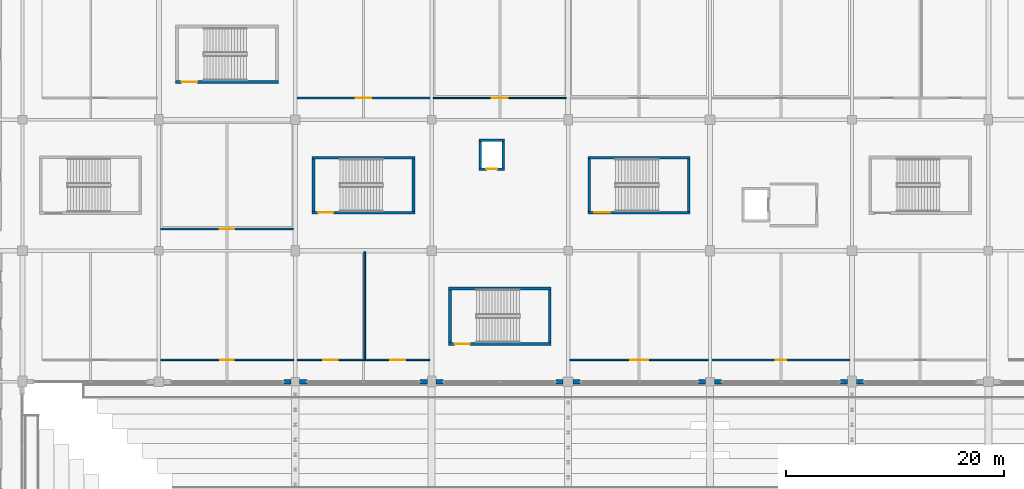
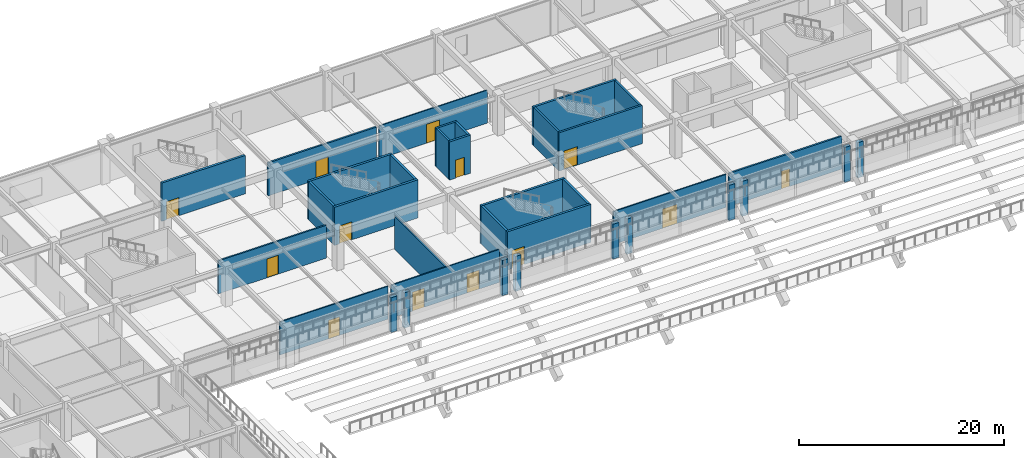
# One storey, part 89 of 134: 35 walls, 13 doors, 13 openings.
"""IFC4 building model written with IfcOpenShell, lengths in metres."""

from ifc_helpers import new_model, si_unit, direction, frame, frame_2d, origin, place, context, subcontext, project, spatial, rectangle, extrude, material, layer, layer_set, type_object, element, fill, save


model = new_model("IFC4")

# Units and contexts
model_context = context("Model", 3, precision=1e-05, world=origin(), true_north=direction((0.0, 1.0)))
body_context = subcontext(model_context, "Body", "Model", "MODEL_VIEW")
ifc_project = project(units=[si_unit("LENGTHUNIT", "METRE"), si_unit("AREAUNIT", "SQUARE_METRE"), si_unit("VOLUMEUNIT", "CUBIC_METRE"), si_unit("PLANEANGLEUNIT", "RADIAN"), si_unit("MASSUNIT", "GRAM", prefix="KILO")], contexts=[model_context])

# Site, building, storey
site_placement = place(None, origin())
site = spatial("IfcSite", under=ifc_project, at=site_placement, CompositionType="ELEMENT")
building_placement = place(site_placement, origin())
building = spatial("IfcBuilding", under=site, at=building_placement, Name="Kazenohara Klinker Stadium", CompositionType="ELEMENT")
storey_placement = place(building_placement, frame((0.0, 0.0, 5.39990234375)))
storey = spatial("IfcBuildingStorey", under=building, at=storey_placement, Name="L01", CompositionType="ELEMENT", Elevation=5.39990234375)

# Wall, opening, door
ifc_material_1 = material(Name="Concrete C40/50", Category="concrete")
ifc_layer_1 = layer(ifc_material_1, 0.22998046875)
ifc_layer_set_1 = layer_set([ifc_layer_1], Name="Concrete C40/50")
wall_type_1 = type_object("IfcWallType", Name="WAL-CORE-230", PredefinedType="SHEAR", material=ifc_layer_set_1)
wall_1_placement = place(storey_placement, frame((100.820068359375, 147.485107421875, 0.0), z_axis=(0.0, 0.0, 1.0), x_axis=(1.0, 0.0, 0.0)))
wall_1 = element("IfcWall", 1, at=wall_1_placement, inside=storey, type_object=wall_type_1, Name="Stairwell shear wall ST10 L01 South", PredefinedType="SHEAR", context=body_context, shape_type="SweptSolid", body=[
    extrude(rectangle(XDim=9.35986328125, YDim=0.22998046875, at=frame_2d((4.679931640625, 0.0))), origin(), (0.0, 0.0, 1.0), 4.550048828125),
])
opening_1_placement = place(wall_1_placement, frame((0.550048828125, 0.0, 0.0)))
opening_1 = element("IfcOpeningElement", 2, at=opening_1_placement, cuts=wall_1, Name="Opening SD02", PredefinedType="OPENING", context=body_context, shape_type="SweptSolid", body=[
    extrude(rectangle(XDim=1.5, YDim=2.199951171875, at=frame_2d((0.75, 1.10009765625))), frame((0.0, 0.125, 0.0), z_axis=(0.0, -1.0, 0.0), x_axis=(1.0, 0.0, 0.0)), (0.0, 0.0, 1.0), 0.25),
])
ifc_material_2 = material(Name="Flush painted steel fire door leaf", Category="steel")
door_type_1 = type_object("IfcDoorType", Name="DR-STR-1500x2200", OperationType="NOTDEFINED", PredefinedType="DOOR", material=ifc_material_2)
door_1_placement = place(opening_1_placement, origin())
door_1 = element("IfcDoor", 3, at=door_1_placement, inside=storey, type_object=door_type_1, Name="Escape stairwell fire door ST10-L01", OperationType="SINGLE_SWING_RIGHT", OverallHeight=2.199951171875, OverallWidth=1.5, PredefinedType="DOOR", context=body_context, shape_type="SweptSolid", body=[
    extrude(rectangle(XDim=1.5, YDim=2.199951171875, at=frame_2d((0.75, 1.10009765625))), frame((0.0, 0.02490234375, 0.0), z_axis=(0.0, -1.0, 0.0), x_axis=(1.0, 0.0, 0.0)), (0.0, 0.0, 1.0), 0.050048828125),
])
fill(opening_1, door_1)

# Walls
wall_2_placement = place(storey_placement, frame((100.820068359375, 152.514892578125, 0.0), z_axis=(0.0, 0.0, 1.0), x_axis=(1.0, 0.0, 0.0)))
element("IfcWall", 4, at=wall_2_placement, inside=storey, type_object=wall_type_1, Name="Stairwell shear wall ST10 L01 North", PredefinedType="SHEAR", context=body_context, shape_type="SweptSolid", body=[
    extrude(rectangle(XDim=9.35986328125, YDim=0.22998046875, at=frame_2d((4.679931640625, 0.0))), origin(), (0.0, 0.0, 1.0), 4.550048828125),
])
for number, where, z_axis, x_axis, name in (
    (5, (100.93505859375, 147.60009765625, 0.0), (0.0, 0.0, 1.0), (0.0, 1.0, 0.0), "Stairwell shear wall ST10 L01 West"),
    (6, (110.06494140625, 147.60009765625, 0.0), (0.0, 0.0, 1.0), (0.0, 1.0, 0.0), "Stairwell shear wall ST10 L01 East"),
):
    element("IfcWall", number, at=place(storey_placement, frame(where, z_axis=z_axis, x_axis=x_axis)), inside=storey, type_object=wall_type_1, Name=name, PredefinedType="SHEAR", context=body_context, shape_type="SweptSolid", body=[
        extrude(rectangle(XDim=4.7998046875, YDim=0.22998046875, at=frame_2d((2.39990234375, 0.0))), origin(), (0.0, 0.0, 1.0), 4.550048828125),
    ])

# Wall, opening, door
wall_3_placement = place(storey_placement, frame((90.820068359375, 151.485107421875, 0.0), z_axis=(0.0, 0.0, 1.0), x_axis=(1.0, 0.0, 0.0)))
wall_3 = element("IfcWall", 7, at=wall_3_placement, inside=storey, type_object=wall_type_1, Name="Elevator shaft wall LP04 L01 South", PredefinedType="SHEAR", context=body_context, shape_type="SweptSolid", body=[
    extrude(rectangle(XDim=2.35986328125, YDim=0.22998046875, at=frame_2d((1.179931640625, 0.0))), origin(), (0.0, 0.0, 1.0), 4.550048828125),
])
opening_2_placement = place(wall_3_placement, frame((0.679931640625, 0.0, 0.0)))
opening_2 = element("IfcOpeningElement", 8, at=opening_2_placement, cuts=wall_3, Name="Opening LD02", PredefinedType="OPENING", context=body_context, shape_type="SweptSolid", body=[
    extrude(rectangle(XDim=1.0, YDim=2.14990234375, at=frame_2d((0.5, 1.074951171875))), frame((0.0, 0.125, 0.0), z_axis=(0.0, -1.0, 0.0), x_axis=(1.0, 0.0, 0.0)), (0.0, 0.0, 1.0), 0.25),
])
ifc_material_3 = material(Name="Stainless steel sliding landing door", Category="steel")
door_type_2 = type_object("IfcDoorType", Name="DR-LD02-1000x2150", OperationType="NOTDEFINED", PredefinedType="DOOR", material=ifc_material_3)
door_2_placement = place(opening_2_placement, origin())
door_2 = element("IfcDoor", 9, at=door_2_placement, inside=storey, type_object=door_type_2, Name="Elevator sliding landing door LP04-L01", OperationType="DOUBLE_DOOR_SLIDING", OverallHeight=2.14990234375, OverallWidth=1.0, PredefinedType="DOOR", context=body_context, shape_type="SweptSolid", body=[
    extrude(rectangle(XDim=1.0, YDim=2.14990234375, at=frame_2d((0.5, 1.074951171875))), frame((0.0, 0.02490234375, 0.0), z_axis=(0.0, -1.0, 0.0), x_axis=(1.0, 0.0, 0.0)), (0.0, 0.0, 1.0), 0.050048828125),
])
fill(opening_2, door_2)

# Walls
wall_4_placement = place(storey_placement, frame((90.820068359375, 154.114990234375, 0.0), z_axis=(0.0, 0.0, 1.0), x_axis=(1.0, 0.0, 0.0)))
element("IfcWall", 10, at=wall_4_placement, inside=storey, type_object=wall_type_1, Name="Elevator shaft wall LP04 L01 North", PredefinedType="SHEAR", context=body_context, shape_type="SweptSolid", body=[
    extrude(rectangle(XDim=2.35986328125, YDim=0.22998046875, at=frame_2d((1.179931640625, 0.0))), origin(), (0.0, 0.0, 1.0), 4.550048828125),
])
for number, where, z_axis, x_axis, name in (
    (11, (90.93505859375, 151.60009765625, 0.0), (0.0, 0.0, 1.0), (0.0, 1.0, 0.0), "Elevator shaft wall LP04 L01 West"),
    (12, (93.06494140625, 151.60009765625, 0.0), (0.0, 0.0, 1.0), (0.0, 1.0, 0.0), "Elevator shaft wall LP04 L01 East"),
):
    element("IfcWall", number, at=place(storey_placement, frame(where, z_axis=z_axis, x_axis=x_axis)), inside=storey, type_object=wall_type_1, Name=name, PredefinedType="SHEAR", context=body_context, shape_type="SweptSolid", body=[
        extrude(rectangle(XDim=2.39990234375, YDim=0.22998046875, at=frame_2d((1.199951171875, 0.0))), origin(), (0.0, 0.0, 1.0), 4.550048828125),
    ])

# Wall, opening, door
ifc_layer_2 = layer(ifc_material_1, 0.25)
ifc_layer_set_2 = layer_set([ifc_layer_2], Name="Concrete C40/50")
wall_type_2 = type_object("IfcWallType", Name="WAL-CORE-250", PredefinedType="SHEAR", material=ifc_layer_set_2)
wall_5_placement = place(storey_placement, frame((75.550048828125, 147.485107421875, 0.0), z_axis=(0.0, 0.0, 1.0), x_axis=(1.0, 0.0, 0.0)))
wall_5 = element("IfcWall", 13, at=wall_5_placement, inside=storey, type_object=wall_type_2, Name="Stairwell shear wall ST09 L01 South", PredefinedType="SHEAR", context=body_context, shape_type="SweptSolid", body=[
    extrude(rectangle(XDim=9.39990234375, YDim=0.25, at=frame_2d((4.699951171875, 0.0))), origin(), (0.0, 0.0, 1.0), 4.550048828125),
])
opening_3_placement = place(wall_5_placement, frame((0.550048828125, 0.0, 0.0)))
opening_3 = element("IfcOpeningElement", 14, at=opening_3_placement, cuts=wall_5, Name="Opening SD01", PredefinedType="OPENING", context=body_context, shape_type="SweptSolid", body=[
    extrude(rectangle(XDim=1.39990234375, YDim=2.14990234375, at=frame_2d((0.699951171875, 1.074951171875))), frame((0.0, 0.135009765625, 0.0), z_axis=(0.0, -1.0, 0.0), x_axis=(1.0, 0.0, 0.0)), (0.0, 0.0, 1.0), 0.27001953125),
])
door_type_3 = type_object("IfcDoorType", Name="DR-STR-1400x2150", OperationType="NOTDEFINED", PredefinedType="DOOR", material=ifc_material_2)
door_3_placement = place(opening_3_placement, origin())
door_3 = element("IfcDoor", 15, at=door_3_placement, inside=storey, type_object=door_type_3, Name="Escape stairwell fire door ST09-L01", OperationType="SINGLE_SWING_LEFT", OverallHeight=2.14990234375, OverallWidth=1.39990234375, PredefinedType="DOOR", context=body_context, shape_type="SweptSolid", body=[
    extrude(rectangle(XDim=1.39990234375, YDim=2.14990234375, at=frame_2d((0.699951171875, 1.074951171875))), frame((0.0, 0.02490234375, 0.0), z_axis=(0.0, -1.0, 0.0), x_axis=(1.0, 0.0, 0.0)), (0.0, 0.0, 1.0), 0.050048828125),
])
fill(opening_3, door_3)

# Walls
wall_6_placement = place(storey_placement, frame((75.550048828125, 152.514892578125, 0.0), z_axis=(0.0, 0.0, 1.0), x_axis=(1.0, 0.0, 0.0)))
element("IfcWall", 16, at=wall_6_placement, inside=storey, type_object=wall_type_2, Name="Stairwell shear wall ST09 L01 North", PredefinedType="SHEAR", context=body_context, shape_type="SweptSolid", body=[
    extrude(rectangle(XDim=9.39990234375, YDim=0.25, at=frame_2d((4.699951171875, 0.0))), origin(), (0.0, 0.0, 1.0), 4.550048828125),
])
for number, where, z_axis, x_axis, name in (
    (17, (75.675048828125, 147.610107421875, 0.0), (0.0, 0.0, 1.0), (0.0, 1.0, 0.0), "Stairwell shear wall ST09 L01 West"),
    (18, (84.824951171875, 147.610107421875, 0.0), (0.0, 0.0, 1.0), (0.0, 1.0, 0.0), "Stairwell shear wall ST09 L01 East"),
):
    element("IfcWall", number, at=place(storey_placement, frame(where, z_axis=z_axis, x_axis=x_axis)), inside=storey, type_object=wall_type_2, Name=name, PredefinedType="SHEAR", context=body_context, shape_type="SweptSolid", body=[
        extrude(rectangle(XDim=4.77978515625, YDim=0.25, at=frame_2d((2.389892578125, 0.0))), origin(), (0.0, 0.0, 1.0), 4.550048828125),
    ])

# Wall, opening, door
wall_7_placement = place(storey_placement, frame((63.050048828125, 159.455078125, 0.0), z_axis=(0.0, 0.0, 1.0), x_axis=(1.0, 0.0, 0.0)))
wall_7 = element("IfcWall", 19, at=wall_7_placement, inside=storey, type_object=wall_type_2, Name="Stairwell shear wall ST15 L01 South", PredefinedType="SHEAR", context=body_context, shape_type="SweptSolid", body=[
    extrude(rectangle(XDim=9.39990234375, YDim=0.25, at=frame_2d((4.699951171875, 0.0))), origin(), (0.0, 0.0, 1.0), 4.550048828125),
])
opening_4_placement = place(wall_7_placement, frame((0.550048828125, 0.0, 0.0)))
opening_4 = element("IfcOpeningElement", 20, at=opening_4_placement, cuts=wall_7, Name="Opening SD01", PredefinedType="OPENING", context=body_context, shape_type="SweptSolid", body=[
    extrude(rectangle(XDim=1.39990234375, YDim=2.14990234375, at=frame_2d((0.699951171875, 1.074951171875))), frame((0.0, 0.135009765625, 0.0), z_axis=(0.0, -1.0, 0.0), x_axis=(1.0, 0.0, 0.0)), (0.0, 0.0, 1.0), 0.27001953125),
])
door_4_placement = place(opening_4_placement, origin())
door_4 = element("IfcDoor", 21, at=door_4_placement, inside=storey, type_object=door_type_3, Name="Escape stairwell fire door ST15-L01", OperationType="SINGLE_SWING_RIGHT", OverallHeight=2.14990234375, OverallWidth=1.39990234375, PredefinedType="DOOR", context=body_context, shape_type="SweptSolid", body=[
    extrude(rectangle(XDim=1.39990234375, YDim=2.14990234375, at=frame_2d((0.699951171875, 1.074951171875))), frame((0.0, 0.02490234375, 0.0), z_axis=(0.0, -1.0, 0.0), x_axis=(1.0, 0.0, 0.0)), (0.0, 0.0, 1.0), 0.050048828125),
])
fill(opening_4, door_4)

wall_8_placement = place(storey_placement, frame((88.050048828125, 135.455078125, 0.0), z_axis=(0.0, 0.0, 1.0), x_axis=(1.0, 0.0, 0.0)))
wall_8 = element("IfcWall", 22, at=wall_8_placement, inside=storey, type_object=wall_type_2, Name="Stairwell shear wall ST19 L01 South", PredefinedType="SHEAR", context=body_context, shape_type="SweptSolid", body=[
    extrude(rectangle(XDim=9.39990234375, YDim=0.25, at=frame_2d((4.699951171875, 0.0))), origin(), (0.0, 0.0, 1.0), 4.550048828125),
])
opening_5_placement = place(wall_8_placement, frame((0.550048828125, 0.0, 0.0)))
opening_5 = element("IfcOpeningElement", 23, at=opening_5_placement, cuts=wall_8, Name="Opening SD01", PredefinedType="OPENING", context=body_context, shape_type="SweptSolid", body=[
    extrude(rectangle(XDim=1.39990234375, YDim=2.14990234375, at=frame_2d((0.699951171875, 1.074951171875))), frame((0.0, 0.135009765625, 0.0), z_axis=(0.0, -1.0, 0.0), x_axis=(1.0, 0.0, 0.0)), (0.0, 0.0, 1.0), 0.27001953125),
])
door_5_placement = place(opening_5_placement, origin())
door_5 = element("IfcDoor", 24, at=door_5_placement, inside=storey, type_object=door_type_3, Name="Escape stairwell fire door ST19-L01", OperationType="SINGLE_SWING_RIGHT", OverallHeight=2.14990234375, OverallWidth=1.39990234375, PredefinedType="DOOR", context=body_context, shape_type="SweptSolid", body=[
    extrude(rectangle(XDim=1.39990234375, YDim=2.14990234375, at=frame_2d((0.699951171875, 1.074951171875))), frame((0.0, 0.02490234375, 0.0), z_axis=(0.0, -1.0, 0.0), x_axis=(1.0, 0.0, 0.0)), (0.0, 0.0, 1.0), 0.050048828125),
])
fill(opening_5, door_5)

# Walls
wall_9_placement = place(storey_placement, frame((88.050048828125, 140.544921875, 0.0), z_axis=(0.0, 0.0, 1.0), x_axis=(1.0, 0.0, 0.0)))
element("IfcWall", 25, at=wall_9_placement, inside=storey, type_object=wall_type_2, Name="Stairwell shear wall ST19 L01 North", PredefinedType="SHEAR", context=body_context, shape_type="SweptSolid", body=[
    extrude(rectangle(XDim=9.39990234375, YDim=0.25, at=frame_2d((4.699951171875, 0.0))), origin(), (0.0, 0.0, 1.0), 4.550048828125),
])
for number, where, z_axis, x_axis, name in (
    (26, (88.175048828125, 135.580078125, 0.0), (0.0, 0.0, 1.0), (0.0, 1.0, 0.0), "Stairwell shear wall ST19 L01 West"),
    (27, (97.324951171875, 135.580078125, 0.0), (0.0, 0.0, 1.0), (0.0, 1.0, 0.0), "Stairwell shear wall ST19 L01 East"),
):
    element("IfcWall", number, at=place(storey_placement, frame(where, z_axis=z_axis, x_axis=x_axis)), inside=storey, type_object=wall_type_2, Name=name, PredefinedType="SHEAR", context=body_context, shape_type="SweptSolid", body=[
        extrude(rectangle(XDim=4.83984375, YDim=0.25, at=frame_2d((2.419921875, 0.0))), origin(), (0.0, 0.0, 1.0), 4.550048828125),
    ])
ifc_material_4 = material(Name="Clinker brick masonry", Category="masonry")
ifc_layer_3 = layer(ifc_material_4, 0.409912109375)
ifc_layer_set_3 = layer_set([ifc_layer_3], Name="Clinker brick masonry")
wall_type_3 = type_object("IfcWallType", Name="WAL-EXT-CB410", PredefinedType="SOLIDWALL", material=ifc_layer_set_3)
wall_10_placement = place(storey_placement, frame((72.946044921875, 132.0, 0.0), z_axis=(0.0, 0.0, 1.0), x_axis=(1.0, 0.0, 0.0)))
element("IfcWall", 28, at=wall_10_placement, inside=storey, type_object=wall_type_3, Name="Clinker brick curtain-wall jamb pier L01 X5-11 B", PredefinedType="SOLIDWALL", context=body_context, shape_type="SweptSolid", body=[
    extrude(rectangle(XDim=0.64990234375, YDim=0.409912109375, at=frame_2d((0.324951171875, 0.0))), origin(), (0.0, 0.0, 1.0), 4.150146484375),
])
for number, where, z_axis, x_axis, name in (
    (29, (74.404052734375, 132.0, 0.0), (0.0, 0.0, 1.0), (1.0, 0.0, 0.0), "Clinker brick curtain-wall jamb pier L01 X6-11 A"),
    (30, (85.446044921875, 132.0, 0.0), (0.0, 0.0, 1.0), (1.0, 0.0, 0.0), "Clinker brick curtain-wall jamb pier L01 X6-11 B"),
):
    element("IfcWall", number, at=place(storey_placement, frame(where, z_axis=z_axis, x_axis=x_axis)), inside=storey, type_object=wall_type_3, Name=name, PredefinedType="SOLIDWALL", context=body_context, shape_type="SweptSolid", body=[
        extrude(rectangle(XDim=0.64990234375, YDim=0.409912109375, at=frame_2d((0.324951171875, 0.0))), origin(), (0.0, 0.0, 1.0), 4.2001953125),
    ])
for number, where, z_axis, x_axis, name in (
    (31, (86.904052734375, 132.0, 0.0), (0.0, 0.0, 1.0), (1.0, 0.0, 0.0), "Clinker brick curtain-wall jamb pier L01 X7-11 A"),
    (32, (97.89599609375, 132.0, 0.0), (0.0, 0.0, 1.0), (1.0, 0.0, 0.0), "Clinker brick curtain-wall jamb pier L01 X7-11 B"),
):
    element("IfcWall", number, at=place(storey_placement, frame(where, z_axis=z_axis, x_axis=x_axis)), inside=storey, type_object=wall_type_3, Name=name, PredefinedType="SOLIDWALL", context=body_context, shape_type="SweptSolid", body=[
        extrude(rectangle(XDim=0.64990234375, YDim=0.409912109375, at=frame_2d((0.324951171875, 0.0))), origin(), (0.0, 0.0, 1.0), 4.150146484375),
    ])
for number, where, z_axis, x_axis, name in (
    (33, (99.4541015625, 132.0, 0.0), (0.0, 0.0, 1.0), (1.0, 0.0, 0.0), "Clinker brick curtain-wall jamb pier L01 X8-11 A"),
    (34, (110.946044921875, 132.0, 0.0), (0.0, 0.0, 1.0), (1.0, 0.0, 0.0), "Clinker brick curtain-wall jamb pier L01 X8-11 B"),
):
    element("IfcWall", number, at=place(storey_placement, frame(where, z_axis=z_axis, x_axis=x_axis)), inside=storey, type_object=wall_type_3, Name=name, PredefinedType="SOLIDWALL", context=body_context, shape_type="SweptSolid", body=[
        extrude(rectangle(XDim=0.64990234375, YDim=0.409912109375, at=frame_2d((0.324951171875, 0.0))), origin(), (0.0, 0.0, 1.0), 4.2001953125),
    ])
for number, where, z_axis, x_axis, name in (
    (35, (112.404052734375, 132.0, 0.0), (0.0, 0.0, 1.0), (1.0, 0.0, 0.0), "Clinker brick curtain-wall jamb pier L01 X9-11 A"),
    (36, (123.946044921875, 132.0, 0.0), (0.0, 0.0, 1.0), (1.0, 0.0, 0.0), "Clinker brick curtain-wall jamb pier L01 X9-11 B"),
):
    element("IfcWall", number, at=place(storey_placement, frame(where, z_axis=z_axis, x_axis=x_axis)), inside=storey, type_object=wall_type_3, Name=name, PredefinedType="SOLIDWALL", context=body_context, shape_type="SweptSolid", body=[
        extrude(rectangle(XDim=0.64990234375, YDim=0.409912109375, at=frame_2d((0.324951171875, 0.0))), origin(), (0.0, 0.0, 1.0), 4.150146484375),
    ])
wall_11_placement = place(storey_placement, frame((125.404052734375, 132.0, 0.0), z_axis=(0.0, 0.0, 1.0), x_axis=(1.0, 0.0, 0.0)))
element("IfcWall", 37, at=wall_11_placement, inside=storey, type_object=wall_type_3, Name="Clinker brick curtain-wall jamb pier L01 X10-11 A", PredefinedType="SOLIDWALL", context=body_context, shape_type="SweptSolid", body=[
    extrude(rectangle(XDim=0.64990234375, YDim=0.409912109375, at=frame_2d((0.324951171875, 0.0))), origin(), (0.0, 0.0, 1.0), 4.2001953125),
])

# Wall, opening, door
ifc_material_5 = material(Name="Fire-rated gypsum board on acoustic studs", Category="gypsum")
ifc_layer_4 = layer(ifc_material_5, 0.1201171875)
ifc_layer_set_4 = layer_set([ifc_layer_4], Name="Fire-rated gypsum board on acoustic studs")
wall_type_4 = type_object("IfcWallType", Name="WAL-INT-P120", PredefinedType="PARTITIONING", material=ifc_layer_set_4)
wall_12_placement = place(storey_placement, frame((86.659912109375, 157.989990234375, 0.0), z_axis=(0.0, 0.0, 1.0), x_axis=(1.0, 0.0, 0.0)))
wall_12 = element("IfcWall", 38, at=wall_12_placement, inside=storey, type_object=wall_type_4, Name="Interior partition wall PT02 SPC-L01-07-13-1-1", PredefinedType="PARTITIONING", context=body_context, shape_type="SweptSolid", body=[
    extrude(rectangle(XDim=12.18017578125, YDim=0.1201171875, at=frame_2d((6.090087890625, 0.0))), origin(), (0.0, 0.0, 1.0), 3.920166015625),
])
opening_6_placement = place(wall_12_placement, frame((5.35009765625, 0.0, 0.0)))
opening_6 = element("IfcOpeningElement", 39, at=opening_6_placement, cuts=wall_12, Name="Opening ID20", PredefinedType="OPENING", context=body_context, shape_type="SweptSolid", body=[
    extrude(rectangle(XDim=1.47998046875, YDim=2.239990234375, at=frame_2d((0.739990234375, 1.1201171875))), frame((0.0, 0.070068359375, 0.0), z_axis=(0.0, -1.0, 0.0), x_axis=(1.0, 0.0, 0.0)), (0.0, 0.0, 1.0), 0.14013671875),
])
ifc_material_6 = material(Name="Painted steel plant fire door", Category="steel")
door_type_4 = type_object("IfcDoorType", Name="DR-INT-20", OperationType="NOTDEFINED", PredefinedType="DOOR", material=ifc_material_6)
door_6_placement = place(opening_6_placement, origin())
door_6 = element("IfcDoor", 40, at=door_6_placement, inside=storey, type_object=door_type_4, Name="Interior door ID20 Family Sensory Hospitality Lounge L01-0713A", OperationType="SINGLE_SWING_LEFT", OverallHeight=2.239990234375, OverallWidth=1.47998046875, PredefinedType="DOOR", context=body_context, shape_type="SweptSolid", body=[
    extrude(rectangle(XDim=1.47998046875, YDim=2.239990234375, at=frame_2d((0.739990234375, 1.1201171875))), frame((0.0, 0.02490234375, 0.0), z_axis=(0.0, -1.0, 0.0), x_axis=(1.0, 0.0, 0.0)), (0.0, 0.0, 1.0), 0.050048828125),
])
fill(opening_6, door_6)

ifc_layer_5 = layer(ifc_material_5, 0.139892578125)
ifc_layer_set_5 = layer_set([ifc_layer_5], Name="Fire-rated gypsum board on acoustic studs")
wall_type_5 = type_object("IfcWallType", Name="WAL-INT-P140", PredefinedType="PARTITIONING", material=ifc_layer_set_5)
wall_13_placement = place(storey_placement, frame((61.659912109375, 133.989990234375, 0.0), z_axis=(0.0, 0.0, 1.0), x_axis=(1.0, 0.0, 0.0)))
wall_13 = element("IfcWall", 41, at=wall_13_placement, inside=storey, type_object=wall_type_5, Name="Interior partition wall PT03 SPC-L01-05-11-1-1", PredefinedType="PARTITIONING", context=body_context, shape_type="SweptSolid", body=[
    extrude(rectangle(XDim=12.18017578125, YDim=0.139892578125, at=frame_2d((6.090087890625, 0.0))), origin(), (0.0, 0.0, 1.0), 3.920166015625),
])
opening_7_placement = place(wall_13_placement, frame((5.455078125, 0.0, 0.0)))
opening_7 = element("IfcOpeningElement", 42, at=opening_7_placement, cuts=wall_13, Name="Opening ID14", PredefinedType="OPENING", context=body_context, shape_type="SweptSolid", body=[
    extrude(rectangle(XDim=1.27001953125, YDim=2.199951171875, at=frame_2d((0.635009765625, 1.10009765625))), frame((0.0, 0.080078125, 0.0), z_axis=(0.0, -1.0, 0.0), x_axis=(1.0, 0.0, 0.0)), (0.0, 0.0, 1.0), 0.159912109375),
])
ifc_material_7 = material(Name="Solid-core Hokkaido oak fire door", Category="wood")
door_type_5 = type_object("IfcDoorType", Name="DR-INT-14", OperationType="NOTDEFINED", PredefinedType="DOOR", material=ifc_material_7)
door_7_placement = place(opening_7_placement, origin())
door_7 = element("IfcDoor", 43, at=door_7_placement, inside=storey, type_object=door_type_5, Name="Interior door ID14 Spectator First-Aid Medical Clinic L01-0511A", OperationType="SINGLE_SWING_LEFT", OverallHeight=2.199951171875, OverallWidth=1.27001953125, PredefinedType="DOOR", context=body_context, shape_type="SweptSolid", body=[
    extrude(rectangle(XDim=1.27001953125, YDim=2.199951171875, at=frame_2d((0.635009765625, 1.10009765625))), frame((0.0, 0.02490234375, 0.0), z_axis=(0.0, -1.0, 0.0), x_axis=(1.0, 0.0, 0.0)), (0.0, 0.0, 1.0), 0.050048828125),
])
fill(opening_7, door_7)

# Wall, openings, doors
wall_14_placement = place(storey_placement, frame((74.159912109375, 133.989990234375, 0.0), z_axis=(0.0, 0.0, 1.0), x_axis=(1.0, 0.0, 0.0)))
wall_14 = element("IfcWall", 44, at=wall_14_placement, inside=storey, type_object=wall_type_5, Name="Interior partition wall PT03 SPC-L01-06-11-1-1", PredefinedType="PARTITIONING", context=body_context, shape_type="SweptSolid", body=[
    extrude(rectangle(XDim=12.18017578125, YDim=0.139892578125, at=frame_2d((6.090087890625, 0.0))), origin(), (0.0, 0.0, 1.0), 3.920166015625),
])
opening_8_placement = place(wall_14_placement, frame((2.385986328125, 0.0, 0.0)))
opening_8 = element("IfcOpeningElement", 45, at=opening_8_placement, cuts=wall_14, Name="Opening ID17", PredefinedType="OPENING", context=body_context, shape_type="SweptSolid", body=[
    extrude(rectangle(XDim=1.360107421875, YDim=2.25, at=frame_2d((0.68017578125, 1.125))), frame((0.0, 0.080078125, 0.0), z_axis=(0.0, -1.0, 0.0), x_axis=(1.0, 0.0, 0.0)), (0.0, 0.0, 1.0), 0.159912109375),
])
opening_9_placement = place(wall_14_placement, frame((8.535888671875, 0.0, 0.0)))
opening_9 = element("IfcOpeningElement", 46, at=opening_9_placement, cuts=wall_14, Name="Opening ID18", PredefinedType="OPENING", context=body_context, shape_type="SweptSolid", body=[
    extrude(rectangle(XDim=1.39990234375, YDim=2.239990234375, at=frame_2d((0.699951171875, 1.1201171875))), frame((0.0, 0.080078125, 0.0), z_axis=(0.0, -1.0, 0.0), x_axis=(1.0, 0.0, 0.0)), (0.0, 0.0, 1.0), 0.159912109375),
])
door_type_6 = type_object("IfcDoorType", Name="DR-INT-17", OperationType="NOTDEFINED", PredefinedType="DOOR", material=ifc_material_7)
door_8_placement = place(opening_8_placement, origin())
door_8 = element("IfcDoor", 47, at=door_8_placement, inside=storey, type_object=door_type_6, Name="Interior door ID17 Youth Sports Coaching Classroom L01-0611A", OperationType="SINGLE_SWING_RIGHT", OverallHeight=2.25, OverallWidth=1.360107421875, PredefinedType="DOOR", context=body_context, shape_type="SweptSolid", body=[
    extrude(rectangle(XDim=1.360107421875, YDim=2.25, at=frame_2d((0.68017578125, 1.125))), frame((0.0, 0.02490234375, 0.0), z_axis=(0.0, -1.0, 0.0), x_axis=(1.0, 0.0, 0.0)), (0.0, 0.0, 1.0), 0.050048828125),
])
fill(opening_8, door_8)
door_type_7 = type_object("IfcDoorType", Name="DR-INT-18", OperationType="NOTDEFINED", PredefinedType="DOOR", material=ifc_material_7)
door_9_placement = place(opening_9_placement, origin())
door_9 = element("IfcDoor", 48, at=door_9_placement, inside=storey, type_object=door_type_7, Name="Interior door ID18 Community Martial Arts Fitness Studio L01-0611B", OperationType="SINGLE_SWING_LEFT", OverallHeight=2.239990234375, OverallWidth=1.39990234375, PredefinedType="DOOR", context=body_context, shape_type="SweptSolid", body=[
    extrude(rectangle(XDim=1.39990234375, YDim=2.239990234375, at=frame_2d((0.699951171875, 1.1201171875))), frame((0.0, 0.02490234375, 0.0), z_axis=(0.0, -1.0, 0.0), x_axis=(1.0, 0.0, 0.0)), (0.0, 0.0, 1.0), 0.050048828125),
])
fill(opening_9, door_9)

# Wall, opening, door
wall_15_placement = place(storey_placement, frame((99.159912109375, 133.989990234375, 0.0), z_axis=(0.0, 0.0, 1.0), x_axis=(1.0, 0.0, 0.0)))
wall_15 = element("IfcWall", 49, at=wall_15_placement, inside=storey, type_object=wall_type_5, Name="Interior partition wall PT03 SPC-L01-08-11-1-1", PredefinedType="PARTITIONING", context=body_context, shape_type="SweptSolid", body=[
    extrude(rectangle(XDim=12.68017578125, YDim=0.139892578125, at=frame_2d((6.340087890625, 0.0))), origin(), (0.0, 0.0, 1.0), 3.920166015625),
])
opening_10_placement = place(wall_15_placement, frame((5.514892578125, 0.0, 0.0)))
opening_10 = element("IfcOpeningElement", 50, at=opening_10_placement, cuts=wall_15, Name="Opening ID24", PredefinedType="OPENING", context=body_context, shape_type="SweptSolid", body=[
    extrude(rectangle(XDim=1.64990234375, YDim=2.280029296875, at=frame_2d((0.824951171875, 1.14013671875))), frame((0.0, 0.080078125, 0.0), z_axis=(0.0, -1.0, 0.0), x_axis=(1.0, 0.0, 0.0)), (0.0, 0.0, 1.0), 0.159912109375),
])
door_type_8 = type_object("IfcDoorType", Name="DR-INT-24", OperationType="NOTDEFINED", PredefinedType="DOOR", material=ifc_material_6)
door_10_placement = place(opening_10_placement, origin())
door_10 = element("IfcDoor", 51, at=door_10_placement, inside=storey, type_object=door_type_8, Name="Interior door ID24 Spectator First-Aid Medical Clinic L01-0811A", OperationType="SINGLE_SWING_LEFT", OverallHeight=2.280029296875, OverallWidth=1.64990234375, PredefinedType="DOOR", context=body_context, shape_type="SweptSolid", body=[
    extrude(rectangle(XDim=1.64990234375, YDim=2.280029296875, at=frame_2d((0.824951171875, 1.14013671875))), frame((0.0, 0.02490234375, 0.0), z_axis=(0.0, -1.0, 0.0), x_axis=(1.0, 0.0, 0.0)), (0.0, 0.0, 1.0), 0.050048828125),
])
fill(opening_10, door_10)

# Wall
ifc_layer_6 = layer(ifc_material_5, 0.14990234375)
ifc_layer_set_6 = layer_set([ifc_layer_6], Name="Fire-rated gypsum board on acoustic studs")
wall_type_6 = type_object("IfcWallType", Name="WAL-INT-P150", PredefinedType="PARTITIONING", material=ifc_layer_set_6)
wall_16_placement = place(storey_placement, frame((80.371826171875, 134.06494140625, 0.0), z_axis=(0.0, 0.0, 1.0), x_axis=(0.0, 1.0, 0.0)))
element("IfcWall", 52, at=wall_16_placement, inside=storey, type_object=wall_type_6, Name="Interior partition wall PT04 SPC-L01-06-11-1-2", PredefinedType="PARTITIONING", context=body_context, shape_type="SweptSolid", body=[
    extrude(rectangle(XDim=9.85498046875, YDim=0.14990234375, at=frame_2d((4.927490234375, 0.0))), origin(), (0.0, 0.0, 1.0), 3.920166015625),
])

# Wall, opening, door
ifc_layer_7 = layer(ifc_material_5, 0.169921875)
ifc_layer_set_7 = layer_set([ifc_layer_7], Name="Fire-rated gypsum board on acoustic studs")
wall_type_7 = type_object("IfcWallType", Name="WAL-INT-P170", PredefinedType="PARTITIONING", material=ifc_layer_set_7)
wall_17_placement = place(storey_placement, frame((61.659912109375, 145.989990234375, 0.0), z_axis=(0.0, 0.0, 1.0), x_axis=(1.0, 0.0, 0.0)))
wall_17 = element("IfcWall", 53, at=wall_17_placement, inside=storey, type_object=wall_type_7, Name="Interior partition wall PT05 SPC-L01-05-12-1-1", PredefinedType="PARTITIONING", context=body_context, shape_type="SweptSolid", body=[
    extrude(rectangle(XDim=12.18017578125, YDim=0.169921875, at=frame_2d((6.090087890625, 0.0))), origin(), (0.0, 0.0, 1.0), 3.920166015625),
])
opening_11_placement = place(wall_17_placement, frame((5.43994140625, 0.0, 0.0)))
opening_11 = element("IfcOpeningElement", 54, at=opening_11_placement, cuts=wall_17, Name="Opening ID15", PredefinedType="OPENING", context=body_context, shape_type="SweptSolid", body=[
    extrude(rectangle(XDim=1.300048828125, YDim=2.239990234375, at=frame_2d((0.64990234375, 1.1201171875))), frame((0.0, 0.094970703125, 0.0), z_axis=(0.0, -1.0, 0.0), x_axis=(1.0, 0.0, 0.0)), (0.0, 0.0, 1.0), 0.18994140625),
])
door_type_9 = type_object("IfcDoorType", Name="DR-INT-15", OperationType="NOTDEFINED", PredefinedType="DOOR", material=ifc_material_7)
door_11_placement = place(opening_11_placement, origin())
door_11 = element("IfcDoor", 55, at=door_11_placement, inside=storey, type_object=door_type_9, Name="Interior door ID15 Youth Sports Coaching Classroom L01-0512A", OperationType="SINGLE_SWING_RIGHT", OverallHeight=2.239990234375, OverallWidth=1.300048828125, PredefinedType="DOOR", context=body_context, shape_type="SweptSolid", body=[
    extrude(rectangle(XDim=1.300048828125, YDim=2.239990234375, at=frame_2d((0.64990234375, 1.1201171875))), frame((0.0, 0.02490234375, 0.0), z_axis=(0.0, -1.0, 0.0), x_axis=(1.0, 0.0, 0.0)), (0.0, 0.0, 1.0), 0.050048828125),
])
fill(opening_11, door_11)

ifc_layer_8 = layer(ifc_material_5, 0.18994140625)
ifc_layer_set_8 = layer_set([ifc_layer_8], Name="Fire-rated gypsum board on acoustic studs")
wall_type_8 = type_object("IfcWallType", Name="WAL-INT-P190", PredefinedType="PARTITIONING", material=ifc_layer_set_8)
wall_18_placement = place(storey_placement, frame((74.159912109375, 157.989990234375, 0.0), z_axis=(0.0, 0.0, 1.0), x_axis=(1.0, 0.0, 0.0)))
wall_18 = element("IfcWall", 56, at=wall_18_placement, inside=storey, type_object=wall_type_8, Name="Interior partition wall PT06 SPC-L01-06-13-1-1", PredefinedType="PARTITIONING", context=body_context, shape_type="SweptSolid", body=[
    extrude(rectangle(XDim=12.18017578125, YDim=0.18994140625, at=frame_2d((6.090087890625, 0.0))), origin(), (0.0, 0.0, 1.0), 3.920166015625),
])
opening_12_placement = place(wall_18_placement, frame((5.3701171875, 0.0, 0.0)))
opening_12 = element("IfcOpeningElement", 57, at=opening_12_placement, cuts=wall_18, Name="Opening ID19", PredefinedType="OPENING", context=body_context, shape_type="SweptSolid", body=[
    extrude(rectangle(XDim=1.43994140625, YDim=2.260009765625, at=frame_2d((0.719970703125, 1.1298828125))), frame((0.0, 0.10498046875, 0.0), z_axis=(0.0, -1.0, 0.0), x_axis=(1.0, 0.0, 0.0)), (0.0, 0.0, 1.0), 0.2099609375),
])
door_type_10 = type_object("IfcDoorType", Name="DR-INT-19", OperationType="NOTDEFINED", PredefinedType="DOOR", material=ifc_material_6)
door_12_placement = place(opening_12_placement, origin())
door_12 = element("IfcDoor", 58, at=door_12_placement, inside=storey, type_object=door_type_10, Name="Interior door ID19 Supporter Scarf and Jersey Retail Shop L01-0613A", OperationType="SINGLE_SWING_RIGHT", OverallHeight=2.260009765625, OverallWidth=1.43994140625, PredefinedType="DOOR", context=body_context, shape_type="SweptSolid", body=[
    extrude(rectangle(XDim=1.43994140625, YDim=2.260009765625, at=frame_2d((0.719970703125, 1.1298828125))), frame((0.0, 0.02490234375, 0.0), z_axis=(0.0, -1.0, 0.0), x_axis=(1.0, 0.0, 0.0)), (0.0, 0.0, 1.0), 0.050048828125),
])
fill(opening_12, door_12)

wall_19_placement = place(storey_placement, frame((112.159912109375, 133.989990234375, 0.0), z_axis=(0.0, 0.0, 1.0), x_axis=(1.0, 0.0, 0.0)))
wall_19 = element("IfcWall", 59, at=wall_19_placement, inside=storey, type_object=wall_type_8, Name="Interior partition wall PT06 SPC-L01-09-11-1-1", PredefinedType="PARTITIONING", context=body_context, shape_type="SweptSolid", body=[
    extrude(rectangle(XDim=12.68017578125, YDim=0.18994140625, at=frame_2d((6.340087890625, 0.0))), origin(), (0.0, 0.0, 1.0), 3.920166015625),
])
opening_13_placement = place(wall_19_placement, frame((5.864990234375, 0.0, 0.0)))
opening_13 = element("IfcOpeningElement", 60, at=opening_13_placement, cuts=wall_19, Name="Opening ID03", PredefinedType="OPENING", context=body_context, shape_type="SweptSolid", body=[
    extrude(rectangle(XDim=0.949951171875, YDim=2.1201171875, at=frame_2d((0.47509765625, 1.06005859375))), frame((0.0, 0.10498046875, 0.0), z_axis=(0.0, -1.0, 0.0), x_axis=(1.0, 0.0, 0.0)), (0.0, 0.0, 1.0), 0.2099609375),
])
door_type_11 = type_object("IfcDoorType", Name="DR-INT-03", OperationType="NOTDEFINED", PredefinedType="DOOR", material=ifc_material_7)
door_13_placement = place(opening_13_placement, origin())
door_13 = element("IfcDoor", 61, at=door_13_placement, inside=storey, type_object=door_type_11, Name="Interior door ID03 Community Martial Arts Fitness Studio L01-0911A", OperationType="SINGLE_SWING_RIGHT", OverallHeight=2.1201171875, OverallWidth=0.949951171875, PredefinedType="DOOR", context=body_context, shape_type="SweptSolid", body=[
    extrude(rectangle(XDim=0.949951171875, YDim=2.1201171875, at=frame_2d((0.47509765625, 1.06005859375))), frame((0.0, 0.02490234375, 0.0), z_axis=(0.0, -1.0, 0.0), x_axis=(1.0, 0.0, 0.0)), (0.0, 0.0, 1.0), 0.050048828125),
])
fill(opening_13, door_13)

save(model, "model.ifc")
